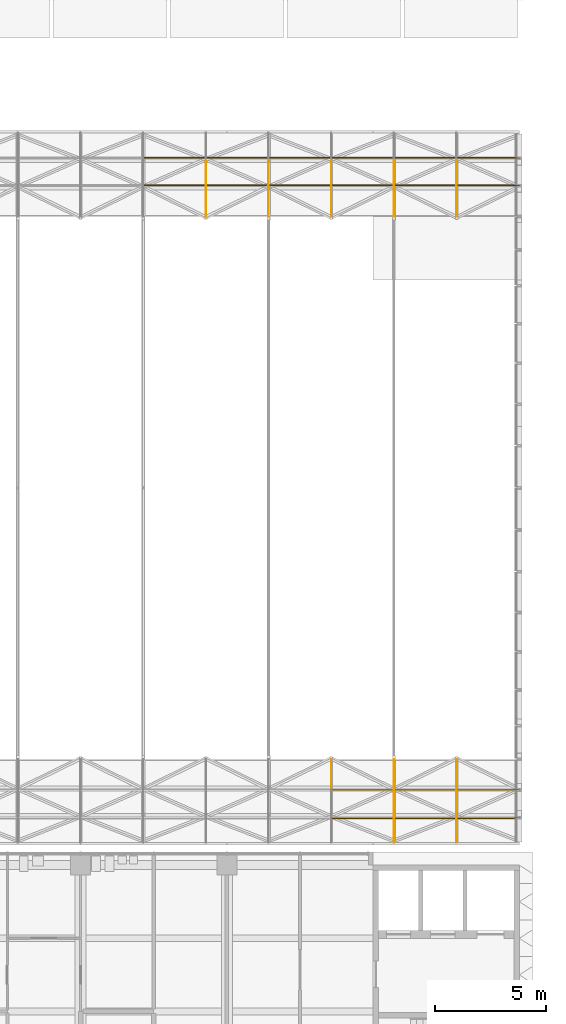
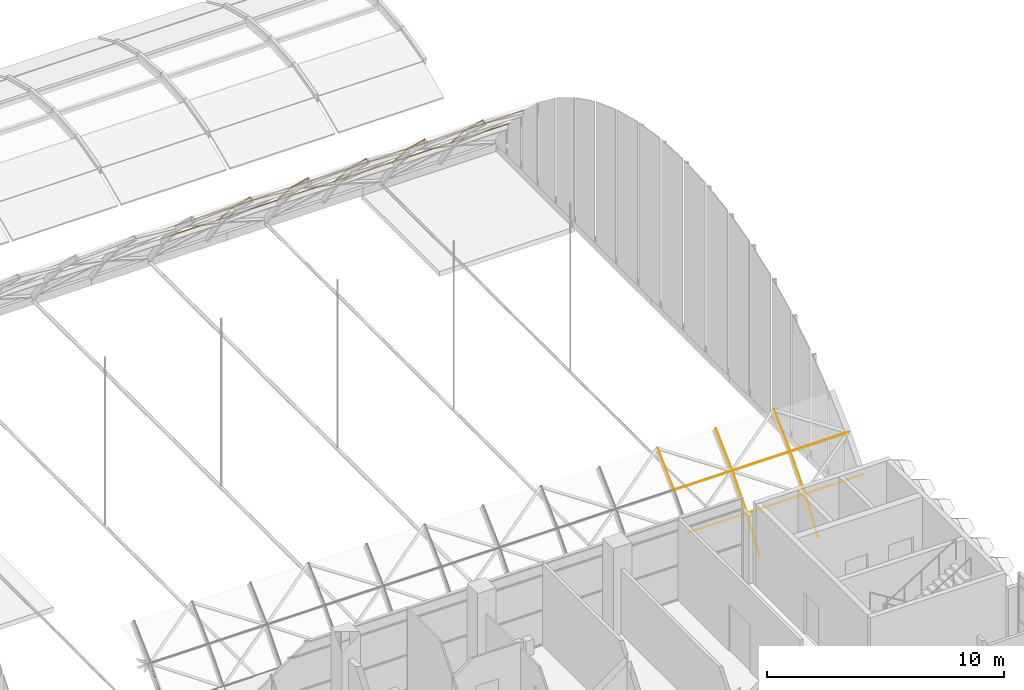
# One storey, part 84 of 109: 35 coverings.
"""IFC4 building model written with IfcOpenShell, lengths in metres."""

import ifcopenshell
import ifcopenshell.guid

model = None  # the IFC model being written
_history = None  # IfcOwnerHistory: only IFC2X3 demands one
_inside = {}  # id of a spatial element -> (the spatial element, [elements in it])
_under = {}  # id of a project, library or spatial element -> (it, [spatial elements below it])
_declared = {}  # id of a project -> (the project, [libraries it declares])
_typed = {}  # id of a type object -> (the type object, [elements of that type])
_made_of = {}  # id of a material, layer set ... -> (it, [elements and type objects made of it])


def new_model(schema):
    """Start an empty IFC model of exactly this schema.

    Asked for "IFC4X3", IfcOpenShell would pick the latest addendum, in which some entities
    have other attributes; the version numbers below select the first issue.
    IFC2X3 requires an IfcOwnerHistory on every rooted entity: one is made here for all.
    """
    global model, _history
    if schema == "IFC4X3":
        model = ifcopenshell.file(schema_version=(4, 3, 0, 0))
    else:
        model = ifcopenshell.file(schema=schema)
    _inside.clear()
    _under.clear()
    _declared.clear()
    _typed.clear()
    _made_of.clear()
    _history = None
    if model.schema == "IFC2X3":
        org = make("IfcOrganization", Name="unknown")
        user = make(
            "IfcPersonAndOrganization",
            ThePerson=make("IfcPerson", FamilyName="unknown"),
            TheOrganization=org,
        )
        app = make(
            "IfcApplication",
            ApplicationDeveloper=org,
            Version="unknown",
            ApplicationFullName="unknown",
            ApplicationIdentifier="unknown",
        )
        _history = make(
            "IfcOwnerHistory",
            OwningUser=user,
            OwningApplication=app,
            ChangeAction="ADDED",
            CreationDate=0,
        )
    return model


def make(cls, **values):
    """One entity of the class cls with the attributes given. An attribute that is None is left unset."""
    return model.create_entity(
        cls, **{name: value for name, value in values.items() if value is not None}
    )


def rooted(cls, **values):
    """An entity with a GlobalId (a new one), such as an element, a storey or a relation."""
    return make(cls, GlobalId=ifcopenshell.guid.new(), OwnerHistory=_history, **values)


def si_unit(unit_type, name, prefix=None):
    """IfcSIUnit, for example si_unit("LENGTHUNIT", "METRE", prefix="MILLI")."""
    return make("IfcSIUnit", UnitType=unit_type, Prefix=prefix, Name=name)


def assignment(units):
    """IfcUnitAssignment: the units of a project."""
    return None if units is None else make("IfcUnitAssignment", Units=units)


def point(xyz):
    """IfcCartesianPoint."""
    return None if xyz is None else make("IfcCartesianPoint", Coordinates=xyz)


def direction(xyz):
    """IfcDirection."""
    return None if xyz is None else make("IfcDirection", DirectionRatios=xyz)


def frame(location, z_axis=None, x_axis=None):
    """IfcAxis2Placement3D, a coordinate frame: its origin and axes. An axis left out is left unset."""
    return make(
        "IfcAxis2Placement3D",
        Location=point(location),
        Axis=direction(z_axis),
        RefDirection=direction(x_axis),
    )


def frame_2d(location, x_axis=None):
    """IfcAxis2Placement2D, a coordinate frame in the plane: its origin and x axis."""
    return make(
        "IfcAxis2Placement2D", Location=point(location), RefDirection=direction(x_axis)
    )


def origin():
    """The frame at (0, 0, 0) with its axes left unset."""
    return frame((0.0, 0.0, 0.0))


def origin_2d():
    """The frame at (0, 0) in the plane with its x axis left unset."""
    return frame_2d((0.0, 0.0))


def place(relative_to, where):
    """IfcLocalPlacement: puts the frame where relative to a parent placement (None: the world)."""
    return make(
        "IfcLocalPlacement", PlacementRelTo=relative_to, RelativePlacement=where
    )


def context(
    kind, dimensions, precision=None, world=None, true_north=None, identifier=None
):
    """IfcGeometricRepresentationContext, for example the 3D "Model" context."""
    return make(
        "IfcGeometricRepresentationContext",
        ContextIdentifier=identifier,
        ContextType=kind,
        CoordinateSpaceDimension=dimensions,
        Precision=precision,
        WorldCoordinateSystem=world,
        TrueNorth=true_north,
    )


def subcontext(parent, identifier, kind, view, scale=None):
    """IfcGeometricRepresentationSubContext, for example "Body" below "Model"."""
    return make(
        "IfcGeometricRepresentationSubContext",
        ContextIdentifier=identifier,
        ContextType=kind,
        ParentContext=parent,
        TargetScale=scale,
        TargetView=view,
    )


def project(units=None, contexts=None):
    """IfcProject with its units and contexts."""
    return rooted(
        "IfcProject",
        Name="project",
        RepresentationContexts=contexts,
        UnitsInContext=assignment(units),
    )


def spatial(cls, under=None, at=None, **own):
    """A site, building, storey or space (cls), placed at a placement, below another one or the project."""
    s = rooted(cls, ObjectPlacement=at, **own)
    if under is not None:
        _under.setdefault(under.id(), (under, []))[1].append(s)
    return s


def profile(cls, at=None, kind="AREA", **sizes):
    """A parametric profile (cls). Its sizes go by their IFC names, for example OverallWidth=200.0."""
    return make(cls, ProfileType=kind, Position=at, **sizes)


def rectangle(**sizes):
    """IfcRectangleProfileDef."""
    return profile("IfcRectangleProfileDef", **sizes)


def extrude(swept, where, along, depth):
    """IfcExtrudedAreaSolid: the profile swept, set in the frame where, extruded along a direction by depth."""
    return make(
        "IfcExtrudedAreaSolid",
        SweptArea=swept,
        Position=where,
        ExtrudedDirection=direction(along),
        Depth=depth,
    )


def shape(context_of_items, identifier, shape_type, items):
    """IfcShapeRepresentation: the items that make up one representation, for example the "Body"."""
    return make(
        "IfcShapeRepresentation",
        ContextOfItems=context_of_items,
        RepresentationIdentifier=identifier,
        RepresentationType=shape_type,
        Items=items,
    )


def material(Name=None, Category=None):
    """IfcMaterial."""
    return make("IfcMaterial", Name=Name, Category=Category)


def material_profile(
    of_material, cross_section, Name=None, Category=None, Priority=None
):
    """IfcMaterialProfile: a cross section and its material."""
    return make(
        "IfcMaterialProfile",
        Name=Name,
        Material=of_material,
        Profile=cross_section,
        Priority=Priority,
        Category=Category,
    )


def profile_set(profiles, Name=None, composite=None):
    """IfcMaterialProfileSet."""
    return make(
        "IfcMaterialProfileSet",
        Name=Name,
        MaterialProfiles=profiles,
        CompositeProfile=composite,
    )


def made_of(thing, what):
    """Note that an element or type object is made of a material, layer set ...; save() writes the relation."""
    if what is not None:
        _made_of.setdefault(what.id(), (what, []))[1].append(thing)
    return thing


def type_object(cls, material=None, **own):
    """A type object (cls), such as IfcWallType, which elements share."""
    return made_of(rooted(cls, **own), material)


def element(
    cls,
    number,
    at=None,
    inside=None,
    cuts=None,
    type_object=None,
    material=None,
    context=None,
    identifier="Body",
    shape_type=None,
    held_by="IfcProductDefinitionShape",
    body=None,
    shapes=None,
    **own,
):
    """One element of the class cls, such as IfcWall. Its Tag is "e" and its number.

    at: its placement. inside: the storey or other place that contains it. cuts: it is an
    opening in that element (IfcRelVoidsElement). A single representation is given by context,
    identifier, shape_type and body (its items); several are given by shapes. held_by: the class
    of the entity that holds the representations. save() writes the other relations.
    """
    e = rooted(cls, Tag="e%d" % number, ObjectPlacement=at, **own)
    if body is not None:
        shapes = [shape(context, identifier, shape_type, body)]
    if shapes is not None:
        e.Representation = make(held_by, Representations=shapes)
    if inside is not None:
        _inside.setdefault(inside.id(), (inside, []))[1].append(e)
    if cuts is not None:
        rooted(
            "IfcRelVoidsElement", RelatingBuildingElement=cuts, RelatedOpeningElement=e
        )
    if type_object is not None:
        _typed.setdefault(type_object.id(), (type_object, []))[1].append(e)
    return made_of(e, material)


def aggregate(whole, parts):
    """IfcRelAggregates: a whole, such as a stair, and the parts it consists of."""
    return rooted("IfcRelAggregates", RelatingObject=whole, RelatedObjects=parts)


def save(model, path):
    """Write the relations noted so far, then the file.

    IfcRelAggregates (storeys below a building ...), IfcRelContainedInSpatialStructure (elements
    in a storey), IfcRelDefinesByType, IfcRelAssociatesMaterial and IfcRelDeclares: one each for
    every whole, place, type object, material and project.
    """
    for whole, parts in _under.values():
        aggregate(whole, parts)
    for where, things in _inside.values():
        rooted(
            "IfcRelContainedInSpatialStructure",
            RelatedElements=things,
            RelatingStructure=where,
        )
    for kind, things in _typed.values():
        rooted("IfcRelDefinesByType", RelatedObjects=things, RelatingType=kind)
    for what, things in _made_of.values():
        rooted("IfcRelAssociatesMaterial", RelatedObjects=things, RelatingMaterial=what)
    for by, libraries in _declared.values():
        rooted("IfcRelDeclares", RelatingContext=by, RelatedDefinitions=libraries)
    model.write(path)


model = new_model("IFC4")

# Units and contexts
model_context = context("Model", 3, precision=1e-05, world=origin(), true_north=direction((0.0, 1.0)))
body_context = subcontext(model_context, "Body", "Model", "MODEL_VIEW")
ifc_project = project(units=[si_unit("LENGTHUNIT", "METRE"), si_unit("AREAUNIT", "SQUARE_METRE"), si_unit("VOLUMEUNIT", "CUBIC_METRE"), si_unit("PLANEANGLEUNIT", "RADIAN"), si_unit("MASSUNIT", "GRAM", prefix="KILO")], contexts=[model_context])

# Site, building, storey
site_placement = place(None, origin())
site = spatial("IfcSite", under=ifc_project, at=site_placement, CompositionType="ELEMENT")
building_placement = place(site_placement, origin())
building = spatial("IfcBuilding", under=site, at=building_placement, Name="Lantern Court Research Institute", CompositionType="ELEMENT")
storey_placement = place(building_placement, frame((0.0, 0.0, 14.39990234375)))
storey = spatial("IfcBuildingStorey", under=building, at=storey_placement, Name="L03", CompositionType="ELEMENT", Elevation=14.39990234375)

# Coverings
ifc_material = material(Name="Aluminium alloy 6063-T6", Category="aluminium")
ifc_material_profile = material_profile(ifc_material, rectangle(XDim=0.01806640625, YDim=0.052001953125, at=origin_2d()), Name="Joint cover bar 18 x 52")
ifc_profile_set = profile_set([ifc_material_profile], Name="Aluminium alloy 6063-T6")
covering_type = type_object("IfcCoveringType", Name="Joint cover bar 18 x 52", PredefinedType="MOLDING", material=ifc_profile_set)
for number, where, z_axis, x_axis, name in (
    (1, (62.238525390625, 53.775390625, 3.40966796875), (1.0, 0.0, 0.0), (0.0, 0.692674230917, -0.721250587399), "Joint cover bar"),
    (2, (62.238525390625, 55.024169921875, 1.970947265625), (1.0, 0.0, 0.0), (0.0, 0.616657332959, -0.787231689979), "Joint cover bar"),
):
    element("IfcCovering", number, at=place(storey_placement, frame(where, z_axis=z_axis, x_axis=x_axis)), inside=storey, type_object=covering_type, Name=name, PredefinedType="MOLDING", context=body_context, shape_type="SweptSolid", body=[
        extrude(rectangle(XDim=0.01806640625, YDim=0.052001953125, at=origin_2d()), origin(), (0.0, 0.0, 1.0), 2.80859375),
    ])
covering_1_placement = place(storey_placement, frame((65.05712890625, 52.389404296875, 4.714599609375), z_axis=(0.0, 0.728090715138, -0.685480787864), x_axis=(-1.0, 0.0, 0.0)))
element("IfcCovering", 3, at=covering_1_placement, inside=storey, type_object=covering_type, Name="Joint cover bar", PredefinedType="MOLDING", context=body_context, shape_type="SweptSolid", body=[
    extrude(rectangle(XDim=0.01806640625, YDim=0.052001953125, at=origin_2d()), origin(), (0.0, 0.0, 1.0), 1.90234375),
])
covering_2_placement = place(storey_placement, frame((65.05712890625, 53.7763671875, 3.40869140625), z_axis=(0.0, 0.655492193344, -0.755201949458), x_axis=(-1.0, 0.0, 0.0)))
element("IfcCovering", 4, at=covering_2_placement, inside=storey, type_object=covering_type, Name="Joint cover bar", PredefinedType="MOLDING", context=body_context, shape_type="SweptSolid", body=[
    extrude(rectangle(XDim=0.01806640625, YDim=0.052001953125, at=origin_2d()), origin(), (0.0, 0.0, 1.0), 1.902587890625),
])
for number, where, z_axis, x_axis, name in (
    (5, (65.067138671875, 53.775390625, 3.40966796875), (1.0, 0.0, 0.0), (0.0, 0.692674230917, -0.721250587399), "Joint cover bar"),
    (6, (65.067138671875, 55.024169921875, 1.970947265625), (1.0, 0.0, 0.0), (0.0, 0.616657332959, -0.787231689979), "Joint cover bar"),
):
    element("IfcCovering", number, at=place(storey_placement, frame(where, z_axis=z_axis, x_axis=x_axis)), inside=storey, type_object=covering_type, Name=name, PredefinedType="MOLDING", context=body_context, shape_type="SweptSolid", body=[
        extrude(rectangle(XDim=0.01806640625, YDim=0.052001953125, at=origin_2d()), origin(), (0.0, 0.0, 1.0), 2.80859375),
    ])
covering_3_placement = place(storey_placement, frame((67.8857421875, 52.389404296875, 4.714599609375), z_axis=(0.0, 0.728090715138, -0.685480787864), x_axis=(-1.0, 0.0, 0.0)))
element("IfcCovering", 7, at=covering_3_placement, inside=storey, type_object=covering_type, Name="Joint cover bar", PredefinedType="MOLDING", context=body_context, shape_type="SweptSolid", body=[
    extrude(rectangle(XDim=0.01806640625, YDim=0.052001953125, at=origin_2d()), origin(), (0.0, 0.0, 1.0), 1.90234375),
])
covering_4_placement = place(storey_placement, frame((67.8857421875, 53.7763671875, 3.40869140625), z_axis=(0.0, 0.655492193344, -0.755201949458), x_axis=(-1.0, 0.0, 0.0)))
element("IfcCovering", 8, at=covering_4_placement, inside=storey, type_object=covering_type, Name="Joint cover bar", PredefinedType="MOLDING", context=body_context, shape_type="SweptSolid", body=[
    extrude(rectangle(XDim=0.01806640625, YDim=0.052001953125, at=origin_2d()), origin(), (0.0, 0.0, 1.0), 1.902587890625),
])
for number, where, z_axis, x_axis, name in (
    (9, (67.895751953125, 53.775390625, 3.40966796875), (1.0, 0.0, 0.0), (0.0, 0.692674230917, -0.721250587399), "Joint cover bar"),
    (10, (67.895751953125, 55.024169921875, 1.970947265625), (1.0, 0.0, 0.0), (0.0, 0.616657332959, -0.787231689979), "Joint cover bar"),
    (11, (70.724365234375, 25.225830078125, 1.970947265625), (1.0, 0.0, 0.0), (0.0, 0.616657332959, 0.787231689979), "Joint cover bar"),
):
    element("IfcCovering", number, at=place(storey_placement, frame(where, z_axis=z_axis, x_axis=x_axis)), inside=storey, type_object=covering_type, Name=name, PredefinedType="MOLDING", context=body_context, shape_type="SweptSolid", body=[
        extrude(rectangle(XDim=0.01806640625, YDim=0.052001953125, at=origin_2d()), origin(), (0.0, 0.0, 1.0), 2.80859375),
    ])
covering_5_placement = place(storey_placement, frame((70.71435546875, 26.4755859375, 3.41064453125), z_axis=(0.0, 0.728090715138, 0.685480787864), x_axis=(-1.0, 0.0, 0.0)))
element("IfcCovering", 12, at=covering_5_placement, inside=storey, type_object=covering_type, Name="Joint cover bar", PredefinedType="MOLDING", context=body_context, shape_type="SweptSolid", body=[
    extrude(rectangle(XDim=0.01806640625, YDim=0.052001953125, at=origin_2d()), origin(), (0.0, 0.0, 1.0), 1.90234375),
])
covering_6_placement = place(storey_placement, frame((70.724365234375, 26.474609375, 3.40966796875), z_axis=(1.0, 0.0, 0.0), x_axis=(0.0, 0.692674230917, 0.721250587399)))
element("IfcCovering", 13, at=covering_6_placement, inside=storey, type_object=covering_type, Name="Joint cover bar", PredefinedType="MOLDING", context=body_context, shape_type="SweptSolid", body=[
    extrude(rectangle(XDim=0.01806640625, YDim=0.052001953125, at=origin_2d()), origin(), (0.0, 0.0, 1.0), 2.80859375),
])
covering_7_placement = place(storey_placement, frame((70.71435546875, 52.389404296875, 4.714599609375), z_axis=(0.0, 0.728090715138, -0.685480787864), x_axis=(-1.0, 0.0, 0.0)))
element("IfcCovering", 14, at=covering_7_placement, inside=storey, type_object=covering_type, Name="Joint cover bar", PredefinedType="MOLDING", context=body_context, shape_type="SweptSolid", body=[
    extrude(rectangle(XDim=0.01806640625, YDim=0.052001953125, at=origin_2d()), origin(), (0.0, 0.0, 1.0), 1.90234375),
])
covering_8_placement = place(storey_placement, frame((70.71435546875, 53.7763671875, 3.40869140625), z_axis=(0.0, 0.655492193344, -0.755201949458), x_axis=(-1.0, 0.0, 0.0)))
element("IfcCovering", 15, at=covering_8_placement, inside=storey, type_object=covering_type, Name="Joint cover bar", PredefinedType="MOLDING", context=body_context, shape_type="SweptSolid", body=[
    extrude(rectangle(XDim=0.01806640625, YDim=0.052001953125, at=origin_2d()), origin(), (0.0, 0.0, 1.0), 1.902587890625),
])
for number, where, z_axis, x_axis, name in (
    (16, (70.724365234375, 53.775390625, 3.40966796875), (1.0, 0.0, 0.0), (0.0, 0.692674230917, -0.721250587399), "Joint cover bar"),
    (17, (70.724365234375, 55.024169921875, 1.970947265625), (1.0, 0.0, 0.0), (0.0, 0.616657332959, -0.787231689979), "Joint cover bar"),
):
    element("IfcCovering", number, at=place(storey_placement, frame(where, z_axis=z_axis, x_axis=x_axis)), inside=storey, type_object=covering_type, Name=name, PredefinedType="MOLDING", context=body_context, shape_type="SweptSolid", body=[
        extrude(rectangle(XDim=0.01806640625, YDim=0.052001953125, at=origin_2d()), origin(), (0.0, 0.0, 1.0), 2.80859375),
    ])
for number, where, z_axis, x_axis, name in (
    (18, (73.54296875, 24.128662109375, 0.4150390625), (0.0, 0.576275057404, 0.817255809532), (-1.0, 0.0, 0.0), "Joint cover bar"),
    (19, (73.54296875, 25.2265625, 1.971923828125), (0.0, 0.655492193344, 0.755201949458), (-1.0, 0.0, 0.0), "Joint cover bar"),
):
    element("IfcCovering", number, at=place(storey_placement, frame(where, z_axis=z_axis, x_axis=x_axis)), inside=storey, type_object=covering_type, Name=name, PredefinedType="MOLDING", context=body_context, shape_type="SweptSolid", body=[
        extrude(rectangle(XDim=0.01806640625, YDim=0.052001953125, at=origin_2d()), origin(), (0.0, 0.0, 1.0), 1.902587890625),
    ])
covering_9_placement = place(storey_placement, frame((73.552978515625, 25.225830078125, 1.970947265625), z_axis=(1.0, 0.0, 0.0), x_axis=(0.0, 0.616657332959, 0.787231689979)))
element("IfcCovering", 20, at=covering_9_placement, inside=storey, type_object=covering_type, Name="Joint cover bar", PredefinedType="MOLDING", context=body_context, shape_type="SweptSolid", body=[
    extrude(rectangle(XDim=0.01806640625, YDim=0.052001953125, at=origin_2d()), origin(), (0.0, 0.0, 1.0), 2.808349609375),
])
covering_10_placement = place(storey_placement, frame((73.54296875, 26.4755859375, 3.41064453125), z_axis=(0.0, 0.728090715138, 0.685480787864), x_axis=(-1.0, 0.0, 0.0)))
element("IfcCovering", 21, at=covering_10_placement, inside=storey, type_object=covering_type, Name="Joint cover bar", PredefinedType="MOLDING", context=body_context, shape_type="SweptSolid", body=[
    extrude(rectangle(XDim=0.01806640625, YDim=0.052001953125, at=origin_2d()), origin(), (0.0, 0.0, 1.0), 1.90234375),
])
covering_11_placement = place(storey_placement, frame((73.552978515625, 26.474609375, 3.40966796875), z_axis=(1.0, 0.0, 0.0), x_axis=(0.0, 0.692674230917, 0.721250587399)))
element("IfcCovering", 22, at=covering_11_placement, inside=storey, type_object=covering_type, Name="Joint cover bar", PredefinedType="MOLDING", context=body_context, shape_type="SweptSolid", body=[
    extrude(rectangle(XDim=0.01806640625, YDim=0.052001953125, at=origin_2d()), origin(), (0.0, 0.0, 1.0), 2.808349609375),
])
covering_12_placement = place(storey_placement, frame((73.54296875, 52.389404296875, 4.714599609375), z_axis=(0.0, 0.728090715138, -0.685480787864), x_axis=(-1.0, 0.0, 0.0)))
element("IfcCovering", 23, at=covering_12_placement, inside=storey, type_object=covering_type, Name="Joint cover bar", PredefinedType="MOLDING", context=body_context, shape_type="SweptSolid", body=[
    extrude(rectangle(XDim=0.01806640625, YDim=0.052001953125, at=origin_2d()), origin(), (0.0, 0.0, 1.0), 1.90234375),
])
covering_13_placement = place(storey_placement, frame((73.54296875, 53.7763671875, 3.40869140625), z_axis=(0.0, 0.655492193344, -0.755201949458), x_axis=(-1.0, 0.0, 0.0)))
element("IfcCovering", 24, at=covering_13_placement, inside=storey, type_object=covering_type, Name="Joint cover bar", PredefinedType="MOLDING", context=body_context, shape_type="SweptSolid", body=[
    extrude(rectangle(XDim=0.01806640625, YDim=0.052001953125, at=origin_2d()), origin(), (0.0, 0.0, 1.0), 1.902587890625),
])
for number, where, z_axis, x_axis, name in (
    (25, (73.552978515625, 53.775390625, 3.40966796875), (1.0, 0.0, 0.0), (0.0, 0.692674230917, -0.721250587399), "Joint cover bar"),
    (26, (73.552978515625, 55.024169921875, 1.970947265625), (1.0, 0.0, 0.0), (0.0, 0.616657332959, -0.787231689979), "Joint cover bar"),
):
    element("IfcCovering", number, at=place(storey_placement, frame(where, z_axis=z_axis, x_axis=x_axis)), inside=storey, type_object=covering_type, Name=name, PredefinedType="MOLDING", context=body_context, shape_type="SweptSolid", body=[
        extrude(rectangle(XDim=0.01806640625, YDim=0.052001953125, at=origin_2d()), origin(), (0.0, 0.0, 1.0), 2.808349609375),
    ])
for number, where, z_axis, x_axis, name in (
    (27, (76.371337890625, 24.128662109375, 0.4150390625), (0.0, 0.576275057404, 0.817255809532), (-1.0, 0.0, 0.0), "Joint cover bar"),
    (28, (76.371337890625, 25.2265625, 1.971923828125), (0.0, 0.655492193344, 0.755201949458), (-1.0, 0.0, 0.0), "Joint cover bar"),
):
    element("IfcCovering", number, at=place(storey_placement, frame(where, z_axis=z_axis, x_axis=x_axis)), inside=storey, type_object=covering_type, Name=name, PredefinedType="MOLDING", context=body_context, shape_type="SweptSolid", body=[
        extrude(rectangle(XDim=0.01806640625, YDim=0.052001953125, at=origin_2d()), origin(), (0.0, 0.0, 1.0), 1.902587890625),
    ])
covering_14_placement = place(storey_placement, frame((76.38134765625, 25.225830078125, 1.970947265625), z_axis=(1.0, 0.0, 0.0), x_axis=(0.0, 0.616657332959, 0.787231689979)))
element("IfcCovering", 29, at=covering_14_placement, inside=storey, type_object=covering_type, Name="Joint cover bar", PredefinedType="MOLDING", context=body_context, shape_type="SweptSolid", body=[
    extrude(rectangle(XDim=0.01806640625, YDim=0.052001953125, at=origin_2d()), origin(), (0.0, 0.0, 1.0), 2.80859375),
])
covering_15_placement = place(storey_placement, frame((76.371337890625, 26.4755859375, 3.41064453125), z_axis=(0.0, 0.728090715138, 0.685480787864), x_axis=(-1.0, 0.0, 0.0)))
element("IfcCovering", 30, at=covering_15_placement, inside=storey, type_object=covering_type, Name="Joint cover bar", PredefinedType="MOLDING", context=body_context, shape_type="SweptSolid", body=[
    extrude(rectangle(XDim=0.01806640625, YDim=0.052001953125, at=origin_2d()), origin(), (0.0, 0.0, 1.0), 1.90234375),
])
covering_16_placement = place(storey_placement, frame((76.38134765625, 26.474609375, 3.40966796875), z_axis=(1.0, 0.0, 0.0), x_axis=(0.0, 0.692674230917, 0.721250587399)))
element("IfcCovering", 31, at=covering_16_placement, inside=storey, type_object=covering_type, Name="Joint cover bar", PredefinedType="MOLDING", context=body_context, shape_type="SweptSolid", body=[
    extrude(rectangle(XDim=0.01806640625, YDim=0.052001953125, at=origin_2d()), origin(), (0.0, 0.0, 1.0), 2.80859375),
])
covering_17_placement = place(storey_placement, frame((76.371337890625, 52.389404296875, 4.714599609375), z_axis=(0.0, 0.728090715138, -0.685480787864), x_axis=(-1.0, 0.0, 0.0)))
element("IfcCovering", 32, at=covering_17_placement, inside=storey, type_object=covering_type, Name="Joint cover bar", PredefinedType="MOLDING", context=body_context, shape_type="SweptSolid", body=[
    extrude(rectangle(XDim=0.01806640625, YDim=0.052001953125, at=origin_2d()), origin(), (0.0, 0.0, 1.0), 1.90234375),
])
covering_18_placement = place(storey_placement, frame((76.371337890625, 53.7763671875, 3.40869140625), z_axis=(0.0, 0.655492193344, -0.755201949458), x_axis=(-1.0, 0.0, 0.0)))
element("IfcCovering", 33, at=covering_18_placement, inside=storey, type_object=covering_type, Name="Joint cover bar", PredefinedType="MOLDING", context=body_context, shape_type="SweptSolid", body=[
    extrude(rectangle(XDim=0.01806640625, YDim=0.052001953125, at=origin_2d()), origin(), (0.0, 0.0, 1.0), 1.902587890625),
])
for number, where, z_axis, x_axis, name in (
    (34, (76.38134765625, 53.775390625, 3.40966796875), (1.0, 0.0, 0.0), (0.0, 0.692674230917, -0.721250587399), "Joint cover bar"),
    (35, (76.38134765625, 55.024169921875, 1.970947265625), (1.0, 0.0, 0.0), (0.0, 0.616657332959, -0.787231689979), "Joint cover bar"),
):
    element("IfcCovering", number, at=place(storey_placement, frame(where, z_axis=z_axis, x_axis=x_axis)), inside=storey, type_object=covering_type, Name=name, PredefinedType="MOLDING", context=body_context, shape_type="SweptSolid", body=[
        extrude(rectangle(XDim=0.01806640625, YDim=0.052001953125, at=origin_2d()), origin(), (0.0, 0.0, 1.0), 2.80859375),
    ])

save(model, "model.ifc")
